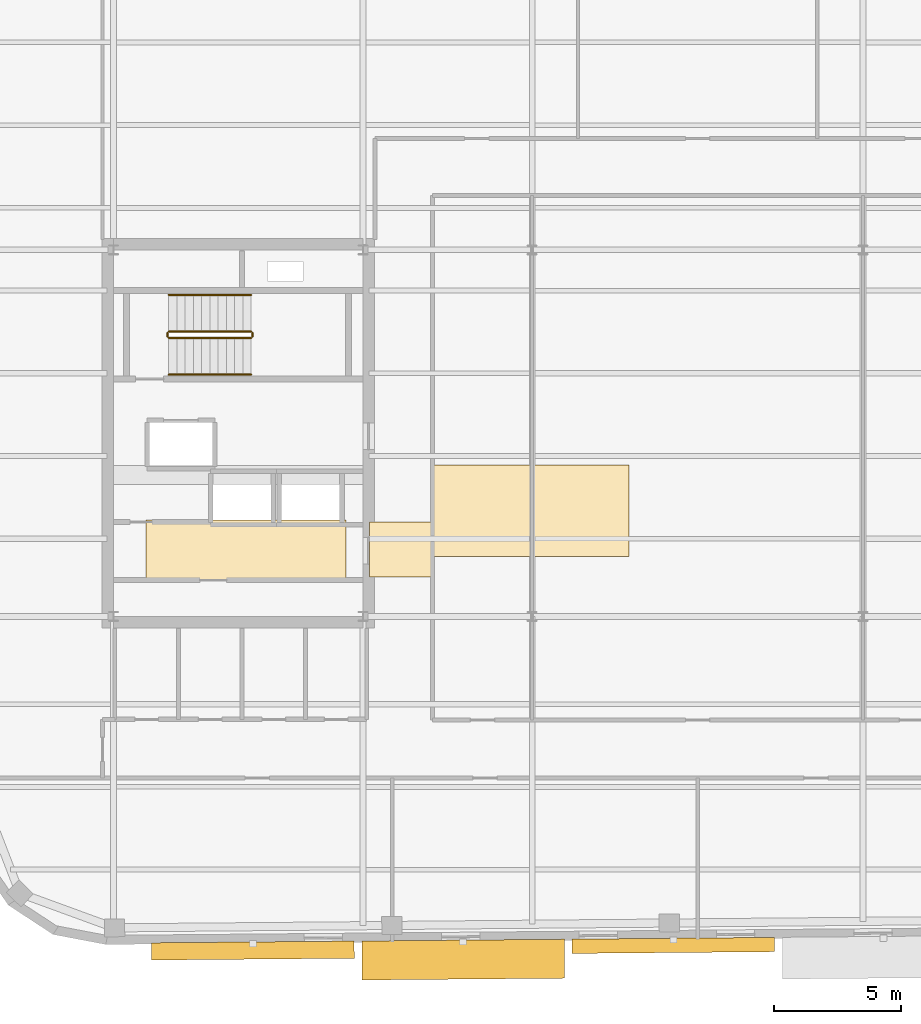
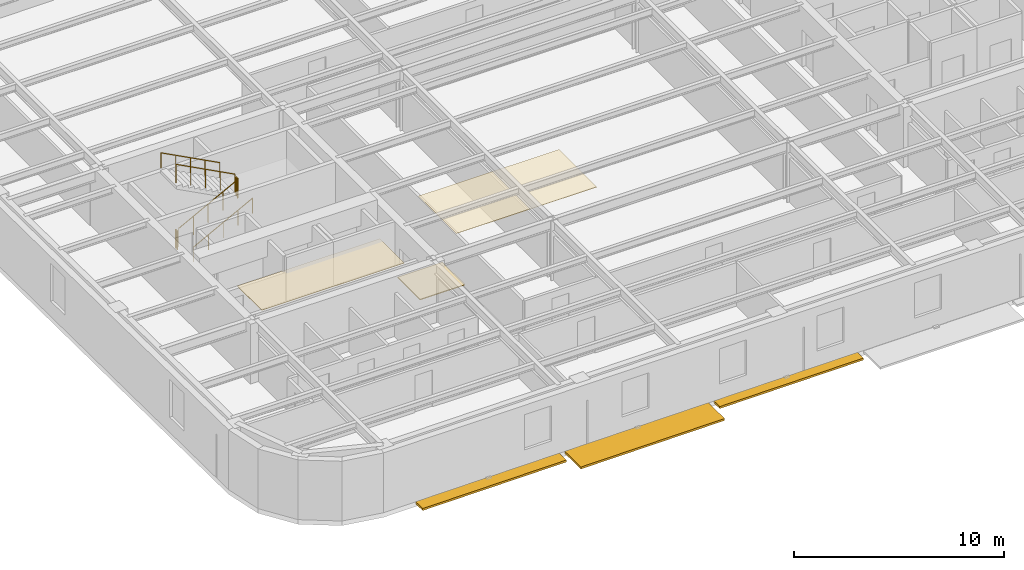
# One storey, part 11 of 13: 6 railings, 3 coverings, 3 shading devices.
"""IFC4 building model written with IfcOpenShell, lengths in metres."""

import ifcopenshell
import ifcopenshell.guid

model = None  # the IFC model being written
_history = None  # IfcOwnerHistory: only IFC2X3 demands one
_inside = {}  # id of a spatial element -> (the spatial element, [elements in it])
_under = {}  # id of a project, library or spatial element -> (it, [spatial elements below it])
_declared = {}  # id of a project -> (the project, [libraries it declares])
_typed = {}  # id of a type object -> (the type object, [elements of that type])
_made_of = {}  # id of a material, layer set ... -> (it, [elements and type objects made of it])


def new_model(schema):
    """Start an empty IFC model of exactly this schema.

    Asked for "IFC4X3", IfcOpenShell would pick the latest addendum, in which some entities
    have other attributes; the version numbers below select the first issue.
    IFC2X3 requires an IfcOwnerHistory on every rooted entity: one is made here for all.
    """
    global model, _history
    if schema == "IFC4X3":
        model = ifcopenshell.file(schema_version=(4, 3, 0, 0))
    else:
        model = ifcopenshell.file(schema=schema)
    _inside.clear()
    _under.clear()
    _declared.clear()
    _typed.clear()
    _made_of.clear()
    _history = None
    if model.schema == "IFC2X3":
        org = make("IfcOrganization", Name="unknown")
        user = make(
            "IfcPersonAndOrganization",
            ThePerson=make("IfcPerson", FamilyName="unknown"),
            TheOrganization=org,
        )
        app = make(
            "IfcApplication",
            ApplicationDeveloper=org,
            Version="unknown",
            ApplicationFullName="unknown",
            ApplicationIdentifier="unknown",
        )
        _history = make(
            "IfcOwnerHistory",
            OwningUser=user,
            OwningApplication=app,
            ChangeAction="ADDED",
            CreationDate=0,
        )
    return model


def make(cls, **values):
    """One entity of the class cls with the attributes given. An attribute that is None is left unset."""
    return model.create_entity(
        cls, **{name: value for name, value in values.items() if value is not None}
    )


def rooted(cls, **values):
    """An entity with a GlobalId (a new one), such as an element, a storey or a relation."""
    return make(cls, GlobalId=ifcopenshell.guid.new(), OwnerHistory=_history, **values)


def si_unit(unit_type, name, prefix=None):
    """IfcSIUnit, for example si_unit("LENGTHUNIT", "METRE", prefix="MILLI")."""
    return make("IfcSIUnit", UnitType=unit_type, Prefix=prefix, Name=name)


def assignment(units):
    """IfcUnitAssignment: the units of a project."""
    return None if units is None else make("IfcUnitAssignment", Units=units)


def point(xyz):
    """IfcCartesianPoint."""
    return None if xyz is None else make("IfcCartesianPoint", Coordinates=xyz)


def direction(xyz):
    """IfcDirection."""
    return None if xyz is None else make("IfcDirection", DirectionRatios=xyz)


def frame(location, z_axis=None, x_axis=None):
    """IfcAxis2Placement3D, a coordinate frame: its origin and axes. An axis left out is left unset."""
    return make(
        "IfcAxis2Placement3D",
        Location=point(location),
        Axis=direction(z_axis),
        RefDirection=direction(x_axis),
    )


def frame_2d(location, x_axis=None):
    """IfcAxis2Placement2D, a coordinate frame in the plane: its origin and x axis."""
    return make(
        "IfcAxis2Placement2D", Location=point(location), RefDirection=direction(x_axis)
    )


def origin():
    """The frame at (0, 0, 0) with its axes left unset."""
    return frame((0.0, 0.0, 0.0))


def origin_2d():
    """The frame at (0, 0) in the plane with its x axis left unset."""
    return frame_2d((0.0, 0.0))


def place(relative_to, where):
    """IfcLocalPlacement: puts the frame where relative to a parent placement (None: the world)."""
    return make(
        "IfcLocalPlacement", PlacementRelTo=relative_to, RelativePlacement=where
    )


def context(
    kind, dimensions, precision=None, world=None, true_north=None, identifier=None
):
    """IfcGeometricRepresentationContext, for example the 3D "Model" context."""
    return make(
        "IfcGeometricRepresentationContext",
        ContextIdentifier=identifier,
        ContextType=kind,
        CoordinateSpaceDimension=dimensions,
        Precision=precision,
        WorldCoordinateSystem=world,
        TrueNorth=true_north,
    )


def subcontext(parent, identifier, kind, view, scale=None):
    """IfcGeometricRepresentationSubContext, for example "Body" below "Model"."""
    return make(
        "IfcGeometricRepresentationSubContext",
        ContextIdentifier=identifier,
        ContextType=kind,
        ParentContext=parent,
        TargetScale=scale,
        TargetView=view,
    )


def project(units=None, contexts=None):
    """IfcProject with its units and contexts."""
    return rooted(
        "IfcProject",
        Name="project",
        RepresentationContexts=contexts,
        UnitsInContext=assignment(units),
    )


def spatial(cls, under=None, at=None, **own):
    """A site, building, storey or space (cls), placed at a placement, below another one or the project."""
    s = rooted(cls, ObjectPlacement=at, **own)
    if under is not None:
        _under.setdefault(under.id(), (under, []))[1].append(s)
    return s


def polyline(points):
    """IfcPolyline through the points."""
    return make("IfcPolyline", Points=[point(p) for p in points])


def profile(cls, at=None, kind="AREA", **sizes):
    """A parametric profile (cls). Its sizes go by their IFC names, for example OverallWidth=200.0."""
    return make(cls, ProfileType=kind, Position=at, **sizes)


def rectangle(**sizes):
    """IfcRectangleProfileDef."""
    return profile("IfcRectangleProfileDef", **sizes)


def circle(**sizes):
    """IfcCircleProfileDef."""
    return profile("IfcCircleProfileDef", **sizes)


def outline(outer, holes=None, kind="AREA"):
    """IfcArbitraryClosedProfileDef: a profile drawn as a closed curve; with holes, ...WithVoids."""
    if holes is None:
        return make("IfcArbitraryClosedProfileDef", ProfileType=kind, OuterCurve=outer)
    return make(
        "IfcArbitraryProfileDefWithVoids",
        ProfileType=kind,
        OuterCurve=outer,
        InnerCurves=holes,
    )


def extrude(swept, where, along, depth):
    """IfcExtrudedAreaSolid: the profile swept, set in the frame where, extruded along a direction by depth."""
    return make(
        "IfcExtrudedAreaSolid",
        SweptArea=swept,
        Position=where,
        ExtrudedDirection=direction(along),
        Depth=depth,
    )


def shape(context_of_items, identifier, shape_type, items):
    """IfcShapeRepresentation: the items that make up one representation, for example the "Body"."""
    return make(
        "IfcShapeRepresentation",
        ContextOfItems=context_of_items,
        RepresentationIdentifier=identifier,
        RepresentationType=shape_type,
        Items=items,
    )


def material(Name=None, Category=None):
    """IfcMaterial."""
    return make("IfcMaterial", Name=Name, Category=Category)


def layer(
    of_material, thickness, ventilated=None, Name=None, Category=None, Priority=None
):
    """IfcMaterialLayer: one layer of a wall or slab, of a material (None: an air gap)."""
    return make(
        "IfcMaterialLayer",
        Material=of_material,
        LayerThickness=thickness,
        IsVentilated=ventilated,
        Name=Name,
        Category=Category,
        Priority=Priority,
    )


def layer_set(layers, Name=None):
    """IfcMaterialLayerSet."""
    return make("IfcMaterialLayerSet", MaterialLayers=layers, LayerSetName=Name)


def made_of(thing, what):
    """Note that an element or type object is made of a material, layer set ...; save() writes the relation."""
    if what is not None:
        _made_of.setdefault(what.id(), (what, []))[1].append(thing)
    return thing


def type_object(cls, material=None, **own):
    """A type object (cls), such as IfcWallType, which elements share."""
    return made_of(rooted(cls, **own), material)


def element(
    cls,
    number,
    at=None,
    inside=None,
    cuts=None,
    type_object=None,
    material=None,
    context=None,
    identifier="Body",
    shape_type=None,
    held_by="IfcProductDefinitionShape",
    body=None,
    shapes=None,
    **own,
):
    """One element of the class cls, such as IfcWall. Its Tag is "e" and its number.

    at: its placement. inside: the storey or other place that contains it. cuts: it is an
    opening in that element (IfcRelVoidsElement). A single representation is given by context,
    identifier, shape_type and body (its items); several are given by shapes. held_by: the class
    of the entity that holds the representations. save() writes the other relations.
    """
    e = rooted(cls, Tag="e%d" % number, ObjectPlacement=at, **own)
    if body is not None:
        shapes = [shape(context, identifier, shape_type, body)]
    if shapes is not None:
        e.Representation = make(held_by, Representations=shapes)
    if inside is not None:
        _inside.setdefault(inside.id(), (inside, []))[1].append(e)
    if cuts is not None:
        rooted(
            "IfcRelVoidsElement", RelatingBuildingElement=cuts, RelatedOpeningElement=e
        )
    if type_object is not None:
        _typed.setdefault(type_object.id(), (type_object, []))[1].append(e)
    return made_of(e, material)


def aggregate(whole, parts):
    """IfcRelAggregates: a whole, such as a stair, and the parts it consists of."""
    return rooted("IfcRelAggregates", RelatingObject=whole, RelatedObjects=parts)


def save(model, path):
    """Write the relations noted so far, then the file.

    IfcRelAggregates (storeys below a building ...), IfcRelContainedInSpatialStructure (elements
    in a storey), IfcRelDefinesByType, IfcRelAssociatesMaterial and IfcRelDeclares: one each for
    every whole, place, type object, material and project.
    """
    for whole, parts in _under.values():
        aggregate(whole, parts)
    for where, things in _inside.values():
        rooted(
            "IfcRelContainedInSpatialStructure",
            RelatedElements=things,
            RelatingStructure=where,
        )
    for kind, things in _typed.values():
        rooted("IfcRelDefinesByType", RelatedObjects=things, RelatingType=kind)
    for what, things in _made_of.values():
        rooted("IfcRelAssociatesMaterial", RelatedObjects=things, RelatingMaterial=what)
    for by, libraries in _declared.values():
        rooted("IfcRelDeclares", RelatingContext=by, RelatedDefinitions=libraries)
    model.write(path)


model = new_model("IFC4")

# Units and contexts
model_context = context("Model", 3, precision=1e-05, world=origin(), true_north=direction((0.0, 1.0)))
body_context = subcontext(model_context, "Body", "Model", "MODEL_VIEW")
ifc_project = project(units=[si_unit("LENGTHUNIT", "METRE"), si_unit("AREAUNIT", "SQUARE_METRE"), si_unit("VOLUMEUNIT", "CUBIC_METRE"), si_unit("PLANEANGLEUNIT", "RADIAN"), si_unit("MASSUNIT", "GRAM", prefix="KILO")], contexts=[model_context])

# Site, building, storey
site_placement = place(None, origin())
site = spatial("IfcSite", under=ifc_project, at=site_placement, CompositionType="ELEMENT")
building_placement = place(site_placement, origin())
building = spatial("IfcBuilding", under=site, at=building_placement, Name="Kolvaren Arena Tower", CompositionType="ELEMENT")
storey_placement = place(building_placement, frame((0.0, 0.0, 278.64990234375)))
storey = spatial("IfcBuildingStorey", under=building, at=storey_placement, Name="L68", CompositionType="ELEMENT", Elevation=278.64990234375)

# Coverings
ifc_material_1 = material(Name="Mineral fibre acoustic ceiling tile", Category="gypsum")
ifc_layer_1 = layer(ifc_material_1, 0.02490234375)
ifc_layer_set_1 = layer_set([ifc_layer_1], Name="Mineral fibre acoustic ceiling tile")
covering_type_1 = type_object("IfcCoveringType", Name="CEIL-ACT-1", PredefinedType="CEILING", material=ifc_layer_set_1)
covering_1_placement = place(storey_placement, frame((0.0, 0.0, 2.52001953125)))
element("IfcCovering", 1, at=covering_1_placement, inside=storey, type_object=covering_type_1, Name="Suspended Ceiling (L68)", PredefinedType="CEILING", context=body_context, shape_type="SweptSolid", body=[
    extrude(outline(polyline([(27.050048828125, 21.800048828125), (27.050048828125, 25.39990234375), (34.800048828125, 25.39990234375), (34.800048828125, 21.800048828125), (27.050048828125, 21.800048828125)])), origin(), (0.0, 0.0, 1.0), 0.025146484375),
])
ifc_material_2 = material(Name="Moisture-resistant gypsum ceiling", Category="gypsum")
ifc_layer_2 = layer(ifc_material_2, 0.030029296875)
ifc_layer_set_2 = layer_set([ifc_layer_2], Name="Moisture-resistant gypsum ceiling")
covering_type_2 = type_object("IfcCoveringType", Name="CEIL-GYP-1", PredefinedType="CEILING", material=ifc_layer_set_2)
covering_2_placement = place(storey_placement, frame((0.0, 0.0, 2.52001953125)))
element("IfcCovering", 2, at=covering_2_placement, inside=storey, type_object=covering_type_2, Name="Suspended Ceiling (L68)", PredefinedType="CEILING", context=body_context, shape_type="SweptSolid", body=[
    extrude(outline(polyline([(15.820068359375, 20.89990234375), (15.820068359375, 23.239990234375), (23.679931640625, 23.239990234375), (23.679931640625, 20.89990234375), (15.820068359375, 20.89990234375)])), origin(), (0.0, 0.0, 1.0), 0.030029296875),
])
ifc_material_3 = material(Name="Raised access office floor finish", Category="aluminium")
ifc_layer_3 = layer(ifc_material_3, 0.044921875)
ifc_layer_set_3 = layer_set([ifc_layer_3], Name="Raised access office floor finish")
covering_type_3 = type_object("IfcCoveringType", Name="FLOR-RAF-1", PredefinedType="FLOORING", material=ifc_layer_set_3)
covering_3_placement = place(storey_placement, origin())
element("IfcCovering", 3, at=covering_3_placement, inside=storey, type_object=covering_type_3, Name="Floor Finish (L68)", PredefinedType="FLOORING", context=body_context, shape_type="SweptSolid", body=[
    extrude(outline(polyline([(24.60009765625, 21.0), (24.60009765625, 23.14990234375), (27.080078125, 23.14990234375), (27.080078125, 21.0), (24.60009765625, 21.0)])), origin(), (0.0, 0.0, 1.0), 0.045166015625),
])

# Railings
ifc_material_4 = material(Name="Painted galvanized steel", Category="steel")
railing_type_1 = type_object("IfcRailingType", Name="GUARD-ST-110", PredefinedType="GUARDRAIL", material=ifc_material_4)
railing_1_placement = place(storey_placement, frame((16.719970703125, 30.389892578125, 0.170654296875)))
element("IfcRailing", 4, at=railing_1_placement, inside=storey, type_object=railing_type_1, Name="L68 ST-W1 stair guard 1", PredefinedType="GUARDRAIL", context=body_context, shape_type="SweptSolid", body=[
    extrude(circle(Radius=0.02392578125, at=origin_2d()), frame((0.0, 0.0, 1.076171875), z_axis=(0.885020909582, 0.0, 0.465551274945), x_axis=(0.0, 1.0, 0.0)), (0.0, 0.0, 1.0), 3.660888671875),
    extrude(circle(Radius=0.02099609375, at=origin_2d()), origin(), (0.0, 0.0, 1.0), 1.052001953125),
    extrude(circle(Radius=0.02099609375, at=origin_2d()), frame((0.81005859375, 0.0, 0.426025390625)), (0.0, 0.0, 1.0), 1.052001953125),
    extrude(circle(Radius=0.02099609375, at=origin_2d()), frame((1.6201171875, 0.0, 0.85205078125)), (0.0, 0.0, 1.0), 1.052001953125),
    extrude(circle(Radius=0.02099609375, at=origin_2d()), frame((2.429931640625, 0.0, 1.2783203125)), (0.0, 0.0, 1.0), 1.052001953125),
    extrude(circle(Radius=0.02099609375, at=origin_2d()), frame((3.239990234375, 0.0, 1.704345703125)), (0.0, 0.0, 1.0), 1.052001953125),
])
railing_2_placement = place(storey_placement, frame((20.010009765625, 30.43994140625, 1.875)))
element("IfcRailing", 5, at=railing_2_placement, inside=storey, type_object=railing_type_1, Name="L68 ST-W1 stair guard 2", PredefinedType="GUARDRAIL", context=body_context, shape_type="SweptSolid", body=[
    extrude(circle(Radius=0.02392578125, at=origin_2d()), frame((0.0, 0.0, 1.076171875), z_axis=(0.0, 1.0, 0.0), x_axis=(-1.0, 0.0, 0.0)), (0.0, 0.0, 1.0), 0.150146484375),
    extrude(circle(Radius=0.02099609375, at=origin_2d()), origin(), (0.0, 0.0, 1.0), 1.052001953125),
    extrude(circle(Radius=0.02099609375, at=origin_2d()), frame((0.0, 0.150146484375, 0.0)), (0.0, 0.0, 1.0), 1.052001953125),
])
railing_3_placement = place(storey_placement, frame((19.9599609375, 30.639892578125, 2.045654296875)))
element("IfcRailing", 6, at=railing_3_placement, inside=storey, type_object=railing_type_1, Name="L68 ST-W1 stair guard 3", PredefinedType="GUARDRAIL", context=body_context, shape_type="SweptSolid", body=[
    extrude(circle(Radius=0.02392578125, at=origin_2d()), frame((0.0, 0.0, 1.076171875), z_axis=(-0.885020909582, 0.0, 0.465551274945), x_axis=(0.0, -1.0, 0.0)), (0.0, 0.0, 1.0), 3.660888671875),
    extrude(circle(Radius=0.02099609375, at=origin_2d()), origin(), (0.0, 0.0, 1.0), 1.052001953125),
    extrude(circle(Radius=0.02099609375, at=origin_2d()), frame((-0.81005859375, 0.0, 0.426025390625)), (0.0, 0.0, 1.0), 1.052001953125),
    extrude(circle(Radius=0.02099609375, at=origin_2d()), frame((-1.6201171875, 0.0, 0.85205078125)), (0.0, 0.0, 1.0), 1.052001953125),
    extrude(circle(Radius=0.02099609375, at=origin_2d()), frame((-2.429931640625, 0.0, 1.2783203125)), (0.0, 0.0, 1.0), 1.052001953125),
    extrude(circle(Radius=0.02099609375, at=origin_2d()), frame((-3.239990234375, 0.0, 1.704345703125)), (0.0, 0.0, 1.0), 1.052001953125),
])
railing_4_placement = place(storey_placement, frame((16.669921875, 30.43994140625, 0.0)))
element("IfcRailing", 7, at=railing_4_placement, inside=storey, type_object=railing_type_1, Name="L68 ST-W1 stair guard 4", PredefinedType="GUARDRAIL", context=body_context, shape_type="SweptSolid", body=[
    extrude(circle(Radius=0.02392578125, at=origin_2d()), frame((0.0, 0.0, 1.076171875), z_axis=(0.0, 1.0, 0.0), x_axis=(-1.0, 0.0, 0.0)), (0.0, 0.0, 1.0), 0.150146484375),
    extrude(circle(Radius=0.02099609375, at=origin_2d()), origin(), (0.0, 0.0, 1.0), 1.052001953125),
    extrude(circle(Radius=0.02099609375, at=origin_2d()), frame((0.0, 0.150146484375, 0.0)), (0.0, 0.0, 1.0), 1.052001953125),
])
ifc_material_5 = material(Name="Brushed stainless steel handrail", Category="steel")
railing_type_2 = type_object("IfcRailingType", Name="HRAIL-900", PredefinedType="HANDRAIL", material=ifc_material_5)
railing_5_placement = place(storey_placement, frame((16.719970703125, 28.949951171875, 0.170654296875)))
element("IfcRailing", 8, at=railing_5_placement, inside=storey, type_object=railing_type_2, Name="L68 ST-W1 stair handrail 1", PredefinedType="HANDRAIL", context=body_context, shape_type="SweptSolid", body=[
    extrude(circle(Radius=0.02392578125, at=origin_2d()), frame((0.0, 0.0, 0.8759765625), z_axis=(0.885020909582, 0.0, 0.465551274945), x_axis=(0.0, 1.0, 0.0)), (0.0, 0.0, 1.0), 3.660888671875),
    extrude(circle(Radius=0.02099609375, at=origin_2d()), origin(), (0.0, 0.0, 1.0), 0.851806640625),
    extrude(circle(Radius=0.02099609375, at=origin_2d()), frame((0.81005859375, 0.0, 0.426025390625)), (0.0, 0.0, 1.0), 0.851806640625),
    extrude(circle(Radius=0.02099609375, at=origin_2d()), frame((1.6201171875, 0.0, 0.85205078125)), (0.0, 0.0, 1.0), 0.851806640625),
    extrude(circle(Radius=0.02099609375, at=origin_2d()), frame((2.429931640625, 0.0, 1.2783203125)), (0.0, 0.0, 1.0), 0.851806640625),
    extrude(circle(Radius=0.02099609375, at=origin_2d()), frame((3.239990234375, 0.0, 1.704345703125)), (0.0, 0.0, 1.0), 0.851806640625),
])
railing_6_placement = place(storey_placement, frame((19.9599609375, 32.080078125, 2.045654296875)))
element("IfcRailing", 9, at=railing_6_placement, inside=storey, type_object=railing_type_2, Name="L68 ST-W1 stair handrail 2", PredefinedType="HANDRAIL", context=body_context, shape_type="SweptSolid", body=[
    extrude(circle(Radius=0.02392578125, at=origin_2d()), frame((0.0, 0.0, 0.8759765625), z_axis=(-0.885020909582, 0.0, 0.465551274945), x_axis=(0.0, -1.0, 0.0)), (0.0, 0.0, 1.0), 3.660888671875),
    extrude(circle(Radius=0.02099609375, at=origin_2d()), origin(), (0.0, 0.0, 1.0), 0.851806640625),
    extrude(circle(Radius=0.02099609375, at=origin_2d()), frame((-0.81005859375, 0.0, 0.426025390625)), (0.0, 0.0, 1.0), 0.851806640625),
    extrude(circle(Radius=0.02099609375, at=origin_2d()), frame((-1.6201171875, 0.0, 0.85205078125)), (0.0, 0.0, 1.0), 0.851806640625),
    extrude(circle(Radius=0.02099609375, at=origin_2d()), frame((-2.429931640625, 0.0, 1.2783203125)), (0.0, 0.0, 1.0), 0.851806640625),
    extrude(circle(Radius=0.02099609375, at=origin_2d()), frame((-3.239990234375, 0.0, 1.704345703125)), (0.0, 0.0, 1.0), 0.851806640625),
])

# Shading devices
ifc_material_6 = material(Name="Architectural precast GFRC and anodised aluminium sunshade", Category="concrete")
shading_device_type_1 = type_object("IfcShadingDeviceType", Name="SHAD-SINE-A", PredefinedType="USERDEFINED", material=ifc_material_6)
shading_device_1_placement = place(storey_placement, frame((36.548828125, 6.52099609375, -0.139892578125), z_axis=(0.0, 0.0, 1.0), x_axis=(-0.999961923064, -0.008726535498, 0.0)))
element("IfcShadingDevice", 10, at=shading_device_1_placement, inside=storey, type_object=shading_device_type_1, Name="Sinusoidal Slab-Edge Sunshade Louvre (L68)", ObjectType="LOUVRE", PredefinedType="USERDEFINED", context=body_context, shape_type="SweptSolid", body=[
    extrude(rectangle(XDim=7.9599609375, YDim=0.562255859375, at=origin_2d()), origin(), (0.0, 0.0, 1.0), 0.1201171875),
])
shading_device_2_placement = place(storey_placement, frame((20.02978515625, 6.319580078125, -0.139892578125), z_axis=(0.0, 0.0, 1.0), x_axis=(-0.999961923064, -0.008726535498, 0.0)))
element("IfcShadingDevice", 11, at=shading_device_2_placement, inside=storey, type_object=shading_device_type_1, Name="Sinusoidal Slab-Edge Sunshade Louvre (L68)", ObjectType="LOUVRE", PredefinedType="USERDEFINED", context=body_context, shape_type="SweptSolid", body=[
    extrude(rectangle(XDim=7.9599609375, YDim=0.677001953125, at=origin_2d()), origin(), (0.0, 0.0, 1.0), 0.1201171875),
])
shading_device_type_2 = type_object("IfcShadingDeviceType", Name="SHAD-SINE-B", PredefinedType="JALOUSIE", material=ifc_material_6)
shading_device_3_placement = place(storey_placement, frame((28.293212890625, 5.9638671875, -0.139892578125), z_axis=(0.0, 0.0, 1.0), x_axis=(-0.999961923064, -0.008726535498, 0.0)))
element("IfcShadingDevice", 12, at=shading_device_3_placement, inside=storey, type_object=shading_device_type_2, Name="Sinusoidal Slab-Edge Sunshade Louvre (L68)", PredefinedType="JALOUSIE", context=body_context, shape_type="SweptSolid", body=[
    extrude(rectangle(XDim=7.9599609375, YDim=1.53271484375, at=origin_2d()), origin(), (0.0, 0.0, 1.0), 0.1201171875),
])

save(model, "model.ifc")
